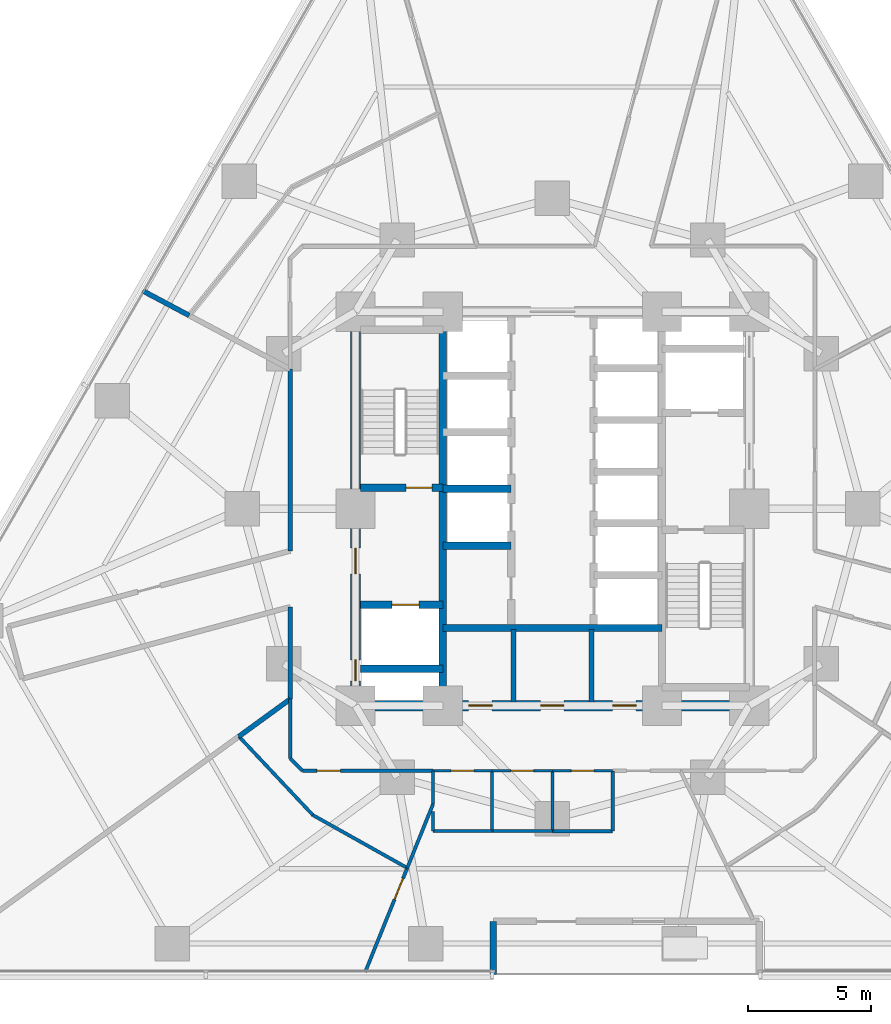
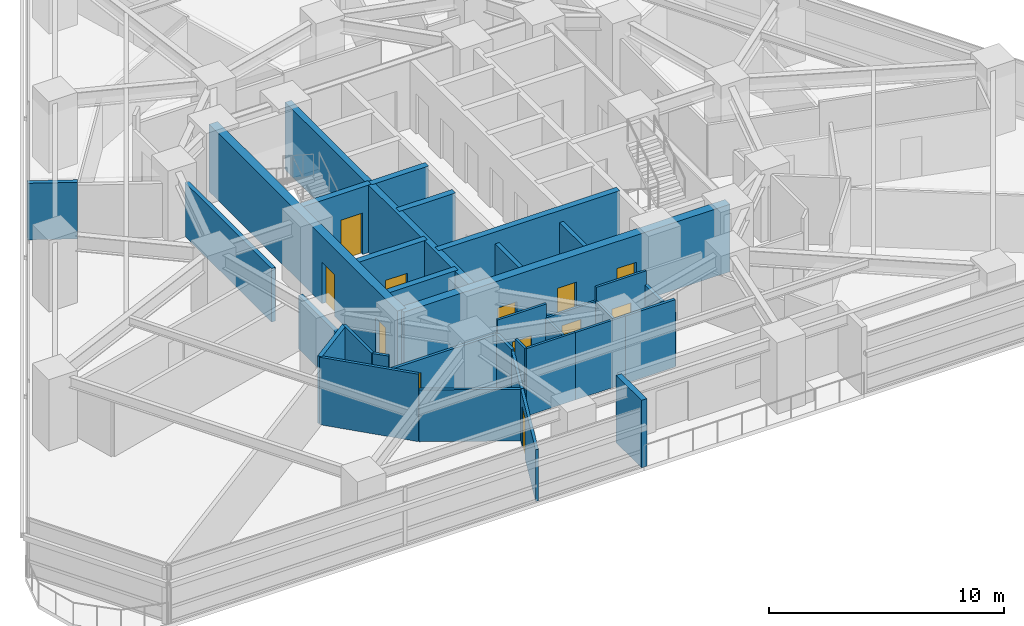
# One storey, part 8 of 16: 34 walls, 12 doors, 12 openings.
"""IFC4 building model written with IfcOpenShell, lengths in metres."""

import ifcopenshell
import ifcopenshell.guid

model = None  # the IFC model being written
_history = None  # IfcOwnerHistory: only IFC2X3 demands one
_inside = {}  # id of a spatial element -> (the spatial element, [elements in it])
_under = {}  # id of a project, library or spatial element -> (it, [spatial elements below it])
_declared = {}  # id of a project -> (the project, [libraries it declares])
_typed = {}  # id of a type object -> (the type object, [elements of that type])
_made_of = {}  # id of a material, layer set ... -> (it, [elements and type objects made of it])


def new_model(schema):
    """Start an empty IFC model of exactly this schema.

    Asked for "IFC4X3", IfcOpenShell would pick the latest addendum, in which some entities
    have other attributes; the version numbers below select the first issue.
    IFC2X3 requires an IfcOwnerHistory on every rooted entity: one is made here for all.
    """
    global model, _history
    if schema == "IFC4X3":
        model = ifcopenshell.file(schema_version=(4, 3, 0, 0))
    else:
        model = ifcopenshell.file(schema=schema)
    _inside.clear()
    _under.clear()
    _declared.clear()
    _typed.clear()
    _made_of.clear()
    _history = None
    if model.schema == "IFC2X3":
        org = make("IfcOrganization", Name="unknown")
        user = make(
            "IfcPersonAndOrganization",
            ThePerson=make("IfcPerson", FamilyName="unknown"),
            TheOrganization=org,
        )
        app = make(
            "IfcApplication",
            ApplicationDeveloper=org,
            Version="unknown",
            ApplicationFullName="unknown",
            ApplicationIdentifier="unknown",
        )
        _history = make(
            "IfcOwnerHistory",
            OwningUser=user,
            OwningApplication=app,
            ChangeAction="ADDED",
            CreationDate=0,
        )
    return model


def make(cls, **values):
    """One entity of the class cls with the attributes given. An attribute that is None is left unset."""
    return model.create_entity(
        cls, **{name: value for name, value in values.items() if value is not None}
    )


def rooted(cls, **values):
    """An entity with a GlobalId (a new one), such as an element, a storey or a relation."""
    return make(cls, GlobalId=ifcopenshell.guid.new(), OwnerHistory=_history, **values)


def si_unit(unit_type, name, prefix=None):
    """IfcSIUnit, for example si_unit("LENGTHUNIT", "METRE", prefix="MILLI")."""
    return make("IfcSIUnit", UnitType=unit_type, Prefix=prefix, Name=name)


def assignment(units):
    """IfcUnitAssignment: the units of a project."""
    return None if units is None else make("IfcUnitAssignment", Units=units)


def point(xyz):
    """IfcCartesianPoint."""
    return None if xyz is None else make("IfcCartesianPoint", Coordinates=xyz)


def direction(xyz):
    """IfcDirection."""
    return None if xyz is None else make("IfcDirection", DirectionRatios=xyz)


def frame(location, z_axis=None, x_axis=None):
    """IfcAxis2Placement3D, a coordinate frame: its origin and axes. An axis left out is left unset."""
    return make(
        "IfcAxis2Placement3D",
        Location=point(location),
        Axis=direction(z_axis),
        RefDirection=direction(x_axis),
    )


def frame_2d(location, x_axis=None):
    """IfcAxis2Placement2D, a coordinate frame in the plane: its origin and x axis."""
    return make(
        "IfcAxis2Placement2D", Location=point(location), RefDirection=direction(x_axis)
    )


def origin():
    """The frame at (0, 0, 0) with its axes left unset."""
    return frame((0.0, 0.0, 0.0))


def place(relative_to, where):
    """IfcLocalPlacement: puts the frame where relative to a parent placement (None: the world)."""
    return make(
        "IfcLocalPlacement", PlacementRelTo=relative_to, RelativePlacement=where
    )


def context(
    kind, dimensions, precision=None, world=None, true_north=None, identifier=None
):
    """IfcGeometricRepresentationContext, for example the 3D "Model" context."""
    return make(
        "IfcGeometricRepresentationContext",
        ContextIdentifier=identifier,
        ContextType=kind,
        CoordinateSpaceDimension=dimensions,
        Precision=precision,
        WorldCoordinateSystem=world,
        TrueNorth=true_north,
    )


def subcontext(parent, identifier, kind, view, scale=None):
    """IfcGeometricRepresentationSubContext, for example "Body" below "Model"."""
    return make(
        "IfcGeometricRepresentationSubContext",
        ContextIdentifier=identifier,
        ContextType=kind,
        ParentContext=parent,
        TargetScale=scale,
        TargetView=view,
    )


def project(units=None, contexts=None):
    """IfcProject with its units and contexts."""
    return rooted(
        "IfcProject",
        Name="project",
        RepresentationContexts=contexts,
        UnitsInContext=assignment(units),
    )


def spatial(cls, under=None, at=None, **own):
    """A site, building, storey or space (cls), placed at a placement, below another one or the project."""
    s = rooted(cls, ObjectPlacement=at, **own)
    if under is not None:
        _under.setdefault(under.id(), (under, []))[1].append(s)
    return s


def profile(cls, at=None, kind="AREA", **sizes):
    """A parametric profile (cls). Its sizes go by their IFC names, for example OverallWidth=200.0."""
    return make(cls, ProfileType=kind, Position=at, **sizes)


def rectangle(**sizes):
    """IfcRectangleProfileDef."""
    return profile("IfcRectangleProfileDef", **sizes)


def extrude(swept, where, along, depth):
    """IfcExtrudedAreaSolid: the profile swept, set in the frame where, extruded along a direction by depth."""
    return make(
        "IfcExtrudedAreaSolid",
        SweptArea=swept,
        Position=where,
        ExtrudedDirection=direction(along),
        Depth=depth,
    )


def shape(context_of_items, identifier, shape_type, items):
    """IfcShapeRepresentation: the items that make up one representation, for example the "Body"."""
    return make(
        "IfcShapeRepresentation",
        ContextOfItems=context_of_items,
        RepresentationIdentifier=identifier,
        RepresentationType=shape_type,
        Items=items,
    )


def material(Name=None, Category=None):
    """IfcMaterial."""
    return make("IfcMaterial", Name=Name, Category=Category)


def layer(
    of_material, thickness, ventilated=None, Name=None, Category=None, Priority=None
):
    """IfcMaterialLayer: one layer of a wall or slab, of a material (None: an air gap)."""
    return make(
        "IfcMaterialLayer",
        Material=of_material,
        LayerThickness=thickness,
        IsVentilated=ventilated,
        Name=Name,
        Category=Category,
        Priority=Priority,
    )


def layer_set(layers, Name=None):
    """IfcMaterialLayerSet."""
    return make("IfcMaterialLayerSet", MaterialLayers=layers, LayerSetName=Name)


def made_of(thing, what):
    """Note that an element or type object is made of a material, layer set ...; save() writes the relation."""
    if what is not None:
        _made_of.setdefault(what.id(), (what, []))[1].append(thing)
    return thing


def type_object(cls, material=None, **own):
    """A type object (cls), such as IfcWallType, which elements share."""
    return made_of(rooted(cls, **own), material)


def element(
    cls,
    number,
    at=None,
    inside=None,
    cuts=None,
    type_object=None,
    material=None,
    context=None,
    identifier="Body",
    shape_type=None,
    held_by="IfcProductDefinitionShape",
    body=None,
    shapes=None,
    **own,
):
    """One element of the class cls, such as IfcWall. Its Tag is "e" and its number.

    at: its placement. inside: the storey or other place that contains it. cuts: it is an
    opening in that element (IfcRelVoidsElement). A single representation is given by context,
    identifier, shape_type and body (its items); several are given by shapes. held_by: the class
    of the entity that holds the representations. save() writes the other relations.
    """
    e = rooted(cls, Tag="e%d" % number, ObjectPlacement=at, **own)
    if body is not None:
        shapes = [shape(context, identifier, shape_type, body)]
    if shapes is not None:
        e.Representation = make(held_by, Representations=shapes)
    if inside is not None:
        _inside.setdefault(inside.id(), (inside, []))[1].append(e)
    if cuts is not None:
        rooted(
            "IfcRelVoidsElement", RelatingBuildingElement=cuts, RelatedOpeningElement=e
        )
    if type_object is not None:
        _typed.setdefault(type_object.id(), (type_object, []))[1].append(e)
    return made_of(e, material)


def fill(opening, filler):
    """IfcRelFillsElement: the door or window that sits in an opening."""
    return rooted(
        "IfcRelFillsElement",
        RelatingOpeningElement=opening,
        RelatedBuildingElement=filler,
    )


def aggregate(whole, parts):
    """IfcRelAggregates: a whole, such as a stair, and the parts it consists of."""
    return rooted("IfcRelAggregates", RelatingObject=whole, RelatedObjects=parts)


def save(model, path):
    """Write the relations noted so far, then the file.

    IfcRelAggregates (storeys below a building ...), IfcRelContainedInSpatialStructure (elements
    in a storey), IfcRelDefinesByType, IfcRelAssociatesMaterial and IfcRelDeclares: one each for
    every whole, place, type object, material and project.
    """
    for whole, parts in _under.values():
        aggregate(whole, parts)
    for where, things in _inside.values():
        rooted(
            "IfcRelContainedInSpatialStructure",
            RelatedElements=things,
            RelatingStructure=where,
        )
    for kind, things in _typed.values():
        rooted("IfcRelDefinesByType", RelatedObjects=things, RelatingType=kind)
    for what, things in _made_of.values():
        rooted("IfcRelAssociatesMaterial", RelatedObjects=things, RelatingMaterial=what)
    for by, libraries in _declared.values():
        rooted("IfcRelDeclares", RelatingContext=by, RelatedDefinitions=libraries)
    model.write(path)


model = new_model("IFC4")

# Units and contexts
model_context = context("Model", 3, precision=1e-05, world=origin(), true_north=direction((0.0, 1.0)))
body_context = subcontext(model_context, "Body", "Model", "MODEL_VIEW")
ifc_project = project(units=[si_unit("LENGTHUNIT", "METRE"), si_unit("AREAUNIT", "SQUARE_METRE"), si_unit("VOLUMEUNIT", "CUBIC_METRE"), si_unit("PLANEANGLEUNIT", "RADIAN"), si_unit("MASSUNIT", "GRAM", prefix="KILO")], contexts=[model_context])

# Site, building, storey
site_placement = place(None, origin())
site = spatial("IfcSite", under=ifc_project, at=site_placement, CompositionType="ELEMENT")
building_placement = place(site_placement, origin())
building = spatial("IfcBuilding", under=site, at=building_placement, Name="Terralouvre Media Tower", CompositionType="ELEMENT")
storey_placement = place(building_placement, frame((0.0, 0.0, 44.5)))
storey = spatial("IfcBuildingStorey", under=building, at=storey_placement, Name="L10", CompositionType="ELEMENT", Elevation=44.5)

# Wall
ifc_material_1 = material(Name="Concrete C50/60", Category="concrete")
ifc_layer_1 = layer(ifc_material_1, 0.300048828125, Name="Core Internal Shaft Wall CW-300")
ifc_layer_set_1 = layer_set([ifc_layer_1], Name="Concrete C50/60")
wall_type_1 = type_object("IfcWallType", Name="Core Internal Shaft Wall CW-300", PredefinedType="SHEAR", material=ifc_layer_set_1)
wall_1_placement = place(storey_placement, frame((-4.449951171875, -7.7900390625, 0.0), z_axis=(0.0, 0.0, 1.0), x_axis=(0.0, 1.0, 0.0)))
element("IfcWall", 1, at=wall_1_placement, inside=storey, type_object=wall_type_1, Name="L10 Core Shaft Wall SPW", PredefinedType="SHEAR", context=body_context, shape_type="SweptSolid", body=[
    extrude(rectangle(XDim=15.580078125, YDim=0.300048828125, at=frame_2d((7.7900390625, 0.0))), origin(), (0.0, 0.0, 1.0), 3.5),
])

# Wall, opening, door
wall_2_placement = place(storey_placement, frame((-7.7900390625, 0.85009765625, 0.0), z_axis=(0.0, 0.0, 1.0), x_axis=(1.0, 0.0, 0.0)))
wall_2 = element("IfcWall", 2, at=wall_2_placement, inside=storey, type_object=wall_type_1, Name="L10 Core Shaft Wall ST1D", PredefinedType="SHEAR", context=body_context, shape_type="SweptSolid", body=[
    extrude(rectangle(XDim=3.340087890625, YDim=0.300048828125, at=frame_2d((1.669921875, 0.0))), origin(), (0.0, 0.0, 1.0), 3.5),
])
opening_1_placement = place(wall_2_placement, frame((1.85009765625, 0.0, 0.0)))
opening_1 = element("IfcOpeningElement", 3, at=opening_1_placement, cuts=wall_2, Name="Opening FD-01-105X215", PredefinedType="OPENING", context=body_context, shape_type="SweptSolid", body=[
    extrude(rectangle(XDim=1.050048828125, YDim=2.14990234375, at=frame_2d((0.52490234375, 1.074951171875))), frame((0.0, 0.159912109375, 0.0), z_axis=(0.0, -1.0, 0.0), x_axis=(1.0, 0.0, 0.0)), (0.0, 0.0, 1.0), 0.320068359375),
])
ifc_material_2 = material(Name="Galvanised steel fire-resisting leaf", Category="steel")
door_type_1 = type_object("IfcDoorType", Name="Stair and Firefighting Lobby Fire Door FD-01 (1050x2150)", OperationType="NOTDEFINED", PredefinedType="DOOR", material=ifc_material_2)
door_1_placement = place(opening_1_placement, origin())
door_1 = element("IfcDoor", 4, at=door_1_placement, inside=storey, type_object=door_type_1, Name="L10 ST-01 Exit Stair Door", OperationType="SINGLE_SWING_LEFT", OverallHeight=2.14990234375, OverallWidth=1.050048828125, PredefinedType="DOOR", context=body_context, shape_type="SweptSolid", body=[
    extrude(rectangle(XDim=1.050048828125, YDim=2.14990234375, at=frame_2d((0.52490234375, 1.074951171875))), frame((0.0, 0.02490234375, 0.0), z_axis=(0.0, -1.0, 0.0), x_axis=(1.0, 0.0, 0.0)), (0.0, 0.0, 1.0), 0.050048828125),
])
fill(opening_1, door_1)

wall_3_placement = place(storey_placement, frame((-7.7900390625, -3.89990234375, 0.0), z_axis=(0.0, 0.0, 1.0), x_axis=(1.0, 0.0, 0.0)))
wall_3 = element("IfcWall", 5, at=wall_3_placement, inside=storey, type_object=wall_type_1, Name="L10 Core Shaft Wall FF1N", PredefinedType="SHEAR", context=body_context, shape_type="SweptSolid", body=[
    extrude(rectangle(XDim=3.340087890625, YDim=0.300048828125, at=frame_2d((1.669921875, 0.0))), origin(), (0.0, 0.0, 1.0), 3.5),
])
opening_2_placement = place(wall_3_placement, frame((1.27001953125, 0.0, 0.0)))
opening_2 = element("IfcOpeningElement", 6, at=opening_2_placement, cuts=wall_3, Name="Opening LD-FF", PredefinedType="OPENING", context=body_context, shape_type="SweptSolid", body=[
    extrude(rectangle(XDim=1.10009765625, YDim=2.10009765625, at=frame_2d((0.550048828125, 1.050048828125))), frame((0.0, 0.159912109375, 0.0), z_axis=(0.0, -1.0, 0.0), x_axis=(1.0, 0.0, 0.0)), (0.0, 0.0, 1.0), 0.320068359375),
])
ifc_material_3 = material(Name="Stainless steel 316 handrail and balustrade", Category="steel")
door_type_2 = type_object("IfcDoorType", Name="Firefighting Lift Sliding Landing Door LD-FF", OperationType="SLIDING_TO_LEFT", PredefinedType="DOOR", material=ifc_material_3)
door_2_placement = place(opening_2_placement, origin())
door_2 = element("IfcDoor", 7, at=door_2_placement, inside=storey, type_object=door_type_2, Name="L10 Firefighting Lift FFL-01 Landing Door", OperationType="SLIDING_TO_LEFT", OverallHeight=2.10009765625, OverallWidth=1.10009765625, PredefinedType="DOOR", context=body_context, shape_type="SweptSolid", body=[
    extrude(rectangle(XDim=1.10009765625, YDim=2.10009765625, at=frame_2d((0.550048828125, 1.050048828125))), frame((0.0, 0.02490234375, 0.0), z_axis=(0.0, -1.0, 0.0), x_axis=(1.0, 0.0, 0.0)), (0.0, 0.0, 1.0), 0.050048828125),
])
fill(opening_2, door_2)

# Walls
wall_4_placement = place(storey_placement, frame((-7.7900390625, -6.5, 0.0), z_axis=(0.0, 0.0, 1.0), x_axis=(1.0, 0.0, 0.0)))
element("IfcWall", 8, at=wall_4_placement, inside=storey, type_object=wall_type_1, Name="L10 Core Shaft Wall FF1S", PredefinedType="SHEAR", context=body_context, shape_type="SweptSolid", body=[
    extrude(rectangle(XDim=3.340087890625, YDim=0.300048828125, at=frame_2d((1.669921875, 0.0))), origin(), (0.0, 0.0, 1.0), 3.5),
])
wall_5_placement = place(storey_placement, frame((-4.449951171875, -4.85009765625, 0.0), z_axis=(0.0, 0.0, 1.0), x_axis=(1.0, 0.0, 0.0)))
element("IfcWall", 9, at=wall_5_placement, inside=storey, type_object=wall_type_1, Name="L10 Core Shaft Wall CSBN", PredefinedType="SHEAR", context=body_context, shape_type="SweptSolid", body=[
    extrude(rectangle(XDim=8.89990234375, YDim=0.300048828125, at=frame_2d((4.449951171875, 0.0))), origin(), (0.0, 0.0, 1.0), 3.5),
])
for number, where, z_axis, x_axis, name in (
    (10, (-4.449951171875, -1.5, 0.0), (0.0, 0.0, 1.0), (1.0, 0.0, 0.0), "L10 Core Shaft Wall PLLD0"),
    (11, (-4.449951171875, 0.800048828125, 0.0), (0.0, 0.0, 1.0), (1.0, 0.0, 0.0), "L10 Core Shaft Wall PLLD1"),
):
    element("IfcWall", number, at=place(storey_placement, frame(where, z_axis=z_axis, x_axis=x_axis)), inside=storey, type_object=wall_type_1, Name=name, PredefinedType="SHEAR", context=body_context, shape_type="SweptSolid", body=[
        extrude(rectangle(XDim=2.77001953125, YDim=0.300048828125, at=frame_2d((1.385009765625, 0.0))), origin(), (0.0, 0.0, 1.0), 3.5),
    ])

# Wall, openings, doors
ifc_material_4 = material(Name="Concrete C60/75", Category="concrete")
ifc_layer_2 = layer(ifc_material_4, 0.419921875, Name="Core Reinforced Concrete Shear Wall CW-420")
ifc_layer_set_2 = layer_set([ifc_layer_2], Name="Concrete C60/75")
wall_type_2 = type_object("IfcWallType", Name="Core Reinforced Concrete Shear Wall CW-420", PredefinedType="SHEAR", material=ifc_layer_set_2)
wall_6_placement = place(storey_placement, frame((-8.0, -8.0, 0.0), z_axis=(0.0, 0.0, 1.0), x_axis=(0.0, 1.0, 0.0)))
wall_6 = element("IfcWall", 12, at=wall_6_placement, inside=storey, type_object=wall_type_2, Name="L10 W Core Shear Wall", PredefinedType="SHEAR", context=body_context, shape_type="SweptSolid", body=[
    extrude(rectangle(XDim=16.0, YDim=0.419921875, at=frame_2d((8.0, 0.0))), origin(), (0.0, 0.0, 1.0), 3.5),
])
opening_3_placement = place(wall_6_placement, frame((1.001708984375, 0.0, 0.0)))
opening_3 = element("IfcOpeningElement", 13, at=opening_3_placement, cuts=wall_6, Name="Opening TD-R1", PredefinedType="OPENING", context=body_context, shape_type="SweptSolid", body=[
    extrude(rectangle(XDim=0.85009765625, YDim=2.02001953125, at=frame_2d((0.425048828125, 1.010009765625))), frame((0.0, 0.219970703125, 0.0), z_axis=(0.0, -1.0, 0.0), x_axis=(1.0, 0.0, 0.0)), (0.0, 0.0, 1.0), 0.43994140625),
])
opening_4_placement = place(wall_6_placement, frame((5.35009765625, 0.0, 0.0)))
opening_4 = element("IfcOpeningElement", 14, at=opening_4_placement, cuts=wall_6, Name="Opening FD-01-105X215", PredefinedType="OPENING", context=body_context, shape_type="SweptSolid", body=[
    extrude(rectangle(XDim=1.050048828125, YDim=2.14990234375, at=frame_2d((0.52490234375, 1.074951171875))), frame((0.0, 0.219970703125, 0.0), z_axis=(0.0, -1.0, 0.0), x_axis=(1.0, 0.0, 0.0)), (0.0, 0.0, 1.0), 0.43994140625),
])
ifc_material_5 = material(Name="Galvanised steel fire-resisting leaf", Category="steel")
door_type_3 = type_object("IfcDoorType", Name="Riser Inspection Access Trapdoor TD-R1", OperationType="NOTDEFINED", PredefinedType="TRAPDOOR", material=ifc_material_5)
door_3_placement = place(opening_3_placement, origin())
door_3 = element("IfcDoor", 15, at=door_3_placement, inside=storey, type_object=door_type_3, Name="L10 Wet Riser Access Trapdoor", OperationType="SINGLE_SWING_LEFT", OverallHeight=2.02001953125, OverallWidth=0.85009765625, PredefinedType="TRAPDOOR", context=body_context, shape_type="SweptSolid", body=[
    extrude(rectangle(XDim=0.85009765625, YDim=2.02001953125, at=frame_2d((0.425048828125, 1.010009765625))), frame((0.0, 0.02490234375, 0.0), z_axis=(0.0, -1.0, 0.0), x_axis=(1.0, 0.0, 0.0)), (0.0, 0.0, 1.0), 0.050048828125),
])
fill(opening_3, door_3)
door_4_placement = place(opening_4_placement, origin())
door_4 = element("IfcDoor", 16, at=door_4_placement, inside=storey, type_object=door_type_1, Name="L10 West Firefighting Lobby Entry Door", OperationType="SINGLE_SWING_RIGHT", OverallHeight=2.14990234375, OverallWidth=1.050048828125, PredefinedType="DOOR", context=body_context, shape_type="SweptSolid", body=[
    extrude(rectangle(XDim=1.050048828125, YDim=2.14990234375, at=frame_2d((0.52490234375, 1.074951171875))), frame((0.0, 0.02490234375, 0.0), z_axis=(0.0, -1.0, 0.0), x_axis=(1.0, 0.0, 0.0)), (0.0, 0.0, 1.0), 0.050048828125),
])
fill(opening_4, door_4)

wall_7_placement = place(storey_placement, frame((-8.0, -8.0, 0.0), z_axis=(0.0, 0.0, 1.0), x_axis=(1.0, 0.0, 0.0)))
wall_7 = element("IfcWall", 17, at=wall_7_placement, inside=storey, type_object=wall_type_2, Name="L10 S Core Shear Wall", PredefinedType="SHEAR", context=body_context, shape_type="SweptSolid", body=[
    extrude(rectangle(XDim=16.0, YDim=0.419921875, at=frame_2d((8.0, 0.0))), origin(), (0.0, 0.0, 1.0), 3.5),
])
opening_5_placement = place(wall_7_placement, frame((4.60009765625, 0.0, 0.0)))
opening_5 = element("IfcOpeningElement", 18, at=opening_5_placement, cuts=wall_7, Name="Opening FD-02-95X210", PredefinedType="OPENING", context=body_context, shape_type="SweptSolid", body=[
    extrude(rectangle(XDim=0.949951171875, YDim=2.10009765625, at=frame_2d((0.47509765625, 1.050048828125))), frame((0.0, 0.219970703125, 0.0), z_axis=(0.0, -1.0, 0.0), x_axis=(1.0, 0.0, 0.0)), (0.0, 0.0, 1.0), 0.43994140625),
])
opening_6_placement = place(wall_7_placement, frame((7.52001953125, 0.0, 0.0)))
opening_6 = element("IfcOpeningElement", 19, at=opening_6_placement, cuts=wall_7, Name="Opening FD-02-95X210", PredefinedType="OPENING", context=body_context, shape_type="SweptSolid", body=[
    extrude(rectangle(XDim=0.949951171875, YDim=2.10009765625, at=frame_2d((0.47509765625, 1.050048828125))), frame((0.0, 0.219970703125, 0.0), z_axis=(0.0, -1.0, 0.0), x_axis=(1.0, 0.0, 0.0)), (0.0, 0.0, 1.0), 0.43994140625),
])
opening_7_placement = place(wall_7_placement, frame((10.449951171875, 0.0, 0.0)))
opening_7 = element("IfcOpeningElement", 20, at=opening_7_placement, cuts=wall_7, Name="Opening FD-02-95X210", PredefinedType="OPENING", context=body_context, shape_type="SweptSolid", body=[
    extrude(rectangle(XDim=0.949951171875, YDim=2.10009765625, at=frame_2d((0.47509765625, 1.050048828125))), frame((0.0, 0.219970703125, 0.0), z_axis=(0.0, -1.0, 0.0), x_axis=(1.0, 0.0, 0.0)), (0.0, 0.0, 1.0), 0.43994140625),
])
ifc_material_6 = material(Name="Galvanised steel fire-resisting leaf", Category="steel")
door_type_4 = type_object("IfcDoorType", Name="Plant and Riser Fire Door FD-02 (950x2100)", OperationType="NOTDEFINED", PredefinedType="DOOR", material=ifc_material_6)
door_5_placement = place(opening_5_placement, origin())
door_5 = element("IfcDoor", 21, at=door_5_placement, inside=storey, type_object=door_type_4, Name="L10 Core Janitor Store Door", OperationType="SINGLE_SWING_LEFT", OverallHeight=2.10009765625, OverallWidth=0.949951171875, PredefinedType="DOOR", context=body_context, shape_type="SweptSolid", body=[
    extrude(rectangle(XDim=0.949951171875, YDim=2.10009765625, at=frame_2d((0.47509765625, 1.050048828125))), frame((0.0, 0.02490234375, 0.0), z_axis=(0.0, -1.0, 0.0), x_axis=(1.0, 0.0, 0.0)), (0.0, 0.0, 1.0), 0.050048828125),
])
fill(opening_5, door_5)
door_6_placement = place(opening_6_placement, origin())
door_6 = element("IfcDoor", 22, at=door_6_placement, inside=storey, type_object=door_type_4, Name="L10 Core Linen Store Door", OperationType="SINGLE_SWING_RIGHT", OverallHeight=2.10009765625, OverallWidth=0.949951171875, PredefinedType="DOOR", context=body_context, shape_type="SweptSolid", body=[
    extrude(rectangle(XDim=0.949951171875, YDim=2.10009765625, at=frame_2d((0.47509765625, 1.050048828125))), frame((0.0, 0.02490234375, 0.0), z_axis=(0.0, -1.0, 0.0), x_axis=(1.0, 0.0, 0.0)), (0.0, 0.0, 1.0), 0.050048828125),
])
fill(opening_6, door_6)
door_7_placement = place(opening_7_placement, origin())
door_7 = element("IfcDoor", 23, at=door_7_placement, inside=storey, type_object=door_type_4, Name="L10 Core Metering Plant Door", OperationType="SINGLE_SWING_LEFT", OverallHeight=2.10009765625, OverallWidth=0.949951171875, PredefinedType="DOOR", context=body_context, shape_type="SweptSolid", body=[
    extrude(rectangle(XDim=0.949951171875, YDim=2.10009765625, at=frame_2d((0.47509765625, 1.050048828125))), frame((0.0, 0.02490234375, 0.0), z_axis=(0.0, -1.0, 0.0), x_axis=(1.0, 0.0, 0.0)), (0.0, 0.0, 1.0), 0.050048828125),
])
fill(opening_7, door_7)

# Walls
ifc_material_7 = material(Name="Fire-rated gypsum board drywall partition")
ifc_layer_3 = layer(ifc_material_7, 0.199951171875, Name="Fire-Rated Shaft and Lobby Partition FW-200")
ifc_layer_set_3 = layer_set([ifc_layer_3], Name="Fire-rated gypsum board drywall partition")
wall_type_3 = type_object("IfcWallType", Name="Fire-Rated Shaft and Lobby Partition FW-200", PredefinedType="SOLIDWALL", material=ifc_layer_set_3)
for number, where, z_axis, x_axis, name in (
    (24, (-1.580078125, -7.85009765625, 0.0), (0.0, 0.0, 1.0), (0.0, 1.0, 0.0), "L10 Core Service Bay Partition 1"),
    (25, (1.580078125, -7.85009765625, 0.0), (0.0, 0.0, 1.0), (0.0, 1.0, 0.0), "L10 Core Service Bay Partition 2"),
):
    element("IfcWall", number, at=place(storey_placement, frame(where, z_axis=z_axis, x_axis=x_axis)), inside=storey, type_object=wall_type_3, Name=name, PredefinedType="SOLIDWALL", context=body_context, shape_type="SweptSolid", body=[
        extrude(rectangle(XDim=2.9501953125, YDim=0.199951171875, at=frame_2d((1.47509765625, 0.0))), origin(), (0.0, 0.0, 1.0), 2.885009765625),
    ])
wall_8_placement = place(storey_placement, frame((-10.64990234375, 5.6630859375, 0.0), z_axis=(0.0, 0.0, 1.0), x_axis=(0.0, -1.0, 0.0)))
element("IfcWall", 26, at=wall_8_placement, inside=storey, type_object=wall_type_3, Name="L10 Interior Partition 008", PredefinedType="SOLIDWALL", context=body_context, shape_type="SweptSolid", body=[
    extrude(rectangle(XDim=7.378173828125, YDim=0.199951171875, at=frame_2d((3.68896484375, 0.0))), origin(), (0.0, 0.0, 1.0), 2.784912109375),
])
wall_9_placement = place(storey_placement, frame((-10.64990234375, -3.991943359375, 0.0), z_axis=(0.0, 0.0, 1.0), x_axis=(0.0, -1.0, 0.0)))
element("IfcWall", 27, at=wall_9_placement, inside=storey, type_object=wall_type_3, Name="L10 Interior Partition 012", PredefinedType="SOLIDWALL", context=body_context, shape_type="SweptSolid", body=[
    extrude(rectangle(XDim=3.74609375, YDim=0.199951171875, at=frame_2d((1.873046875, 0.0))), origin(), (0.0, 0.0, 1.0), 2.784912109375),
])
wall_10_placement = place(storey_placement, frame((-12.736083984375, -9.2529296875, 0.0), z_axis=(0.0, 0.0, 1.0), x_axis=(0.809165833136, 0.587580338749, 0.0)))
element("IfcWall", 28, at=wall_10_placement, inside=storey, type_object=wall_type_3, Name="L10 Interior Partition 038", PredefinedType="SOLIDWALL", context=body_context, shape_type="SweptSolid", body=[
    extrude(rectangle(XDim=2.578125, YDim=0.199951171875, at=frame_2d((1.2890625, 0.0))), origin(), (0.0, 0.0, 1.0), 3.5),
])
wall_11_placement = place(storey_placement, frame((-14.7548828125, 7.844970703125, 0.0), z_axis=(0.0, 0.0, 1.0), x_axis=(-0.882905636776, 0.469550462197, 0.0)))
element("IfcWall", 29, at=wall_11_placement, inside=storey, type_object=wall_type_3, Name="L10 Interior Partition 039", PredefinedType="SOLIDWALL", context=body_context, shape_type="SweptSolid", body=[
    extrude(rectangle(XDim=2.137451171875, YDim=0.199951171875, at=frame_2d((1.06884765625, 0.0))), origin(), (0.0, 0.0, 1.0), 2.93505859375),
])
ifc_material_8 = material(Name="Fire-rated gypsum board drywall partition")
ifc_layer_4 = layer(ifc_material_8, 0.135009765625, Name="Newsroom Acoustic Partition PT-135")
ifc_layer_set_4 = layer_set([ifc_layer_4], Name="Fire-rated gypsum board drywall partition")
wall_type_4 = type_object("IfcWallType", Name="Newsroom Acoustic Partition PT-135", PredefinedType="PARTITIONING", material=ifc_layer_set_4)
wall_12_placement = place(storey_placement, frame((-10.64990234375, -7.738037109375, 0.0), z_axis=(0.0, 0.0, 1.0), x_axis=(0.0, -1.0, 0.0)))
element("IfcWall", 30, at=wall_12_placement, inside=storey, type_object=wall_type_4, Name="L10 Interior Partition 020", PredefinedType="PARTITIONING", context=body_context, shape_type="SweptSolid", body=[
    extrude(rectangle(XDim=2.411865234375, YDim=0.135009765625, at=frame_2d((1.2060546875, 0.0))), origin(), (0.0, 0.0, 1.0), 3.5),
])
wall_13_placement = place(storey_placement, frame((-10.64990234375, -10.14990234375, 0.0), z_axis=(0.0, 0.0, 1.0), x_axis=(0.707106781187, -0.707106781187, 0.0)))
element("IfcWall", 31, at=wall_13_placement, inside=storey, type_object=wall_type_4, Name="L10 Interior Partition 021", PredefinedType="PARTITIONING", context=body_context, shape_type="SweptSolid", body=[
    extrude(rectangle(XDim=0.70703125, YDim=0.135009765625, at=frame_2d((0.353515625, 0.0))), origin(), (0.0, 0.0, 1.0), 3.5),
])

# Wall, opening, door
wall_14_placement = place(storey_placement, frame((-10.14990234375, -10.64990234375, 0.0), z_axis=(0.0, 0.0, 1.0), x_axis=(1.0, 0.0, 0.0)))
wall_14 = element("IfcWall", 32, at=wall_14_placement, inside=storey, type_object=wall_type_4, Name="L10 Interior Partition 022", PredefinedType="PARTITIONING", context=body_context, shape_type="SweptSolid", body=[
    extrude(rectangle(XDim=5.2998046875, YDim=0.135009765625, at=frame_2d((2.64990234375, 0.0))), origin(), (0.0, 0.0, 1.0), 2.784912109375),
])
opening_8_placement = place(wall_14_placement, frame((0.5849609375, 0.0, 0.0)))
opening_8 = element("IfcOpeningElement", 33, at=opening_8_placement, cuts=wall_14, Name="Opening ID-02-95X210", PredefinedType="OPENING", context=body_context, shape_type="SweptSolid", body=[
    extrude(rectangle(XDim=0.949951171875, YDim=2.10009765625, at=frame_2d((0.47509765625, 1.050048828125))), frame((0.0, 0.077392578125, 0.0), z_axis=(0.0, -1.0, 0.0), x_axis=(1.0, 0.0, 0.0)), (0.0, 0.0, 1.0), 0.155029296875),
])
ifc_material_9 = material(Name="Engineered hardwood acoustic timber leaf", Category="wood")
door_type_5 = type_object("IfcDoorType", Name="Office and Meeting Room Door ID-02 (950x2100)", OperationType="NOTDEFINED", PredefinedType="DOOR", material=ifc_material_9)
door_8_placement = place(opening_8_placement, origin())
door_8 = element("IfcDoor", 34, at=door_8_placement, inside=storey, type_object=door_type_5, Name="L10 Wardrobe Costume Closet 7 Door", OperationType="SINGLE_SWING_LEFT", OverallHeight=2.10009765625, OverallWidth=0.949951171875, PredefinedType="DOOR", context=body_context, shape_type="SweptSolid", body=[
    extrude(rectangle(XDim=0.949951171875, YDim=2.10009765625, at=frame_2d((0.47509765625, 1.050048828125))), frame((0.0, 0.02490234375, 0.0), z_axis=(0.0, -1.0, 0.0), x_axis=(1.0, 0.0, 0.0)), (0.0, 0.0, 1.0), 0.050048828125),
])
fill(opening_8, door_8)

# Walls
wall_15_placement = place(storey_placement, frame((-5.89697265625, -14.595947265625, 0.0), z_axis=(0.0, 0.0, 1.0), x_axis=(-0.87248894478, 0.488633851915, 0.0)))
element("IfcWall", 35, at=wall_15_placement, inside=storey, type_object=wall_type_4, Name="L10 Interior Partition 047", PredefinedType="PARTITIONING", context=body_context, shape_type="SweptSolid", body=[
    extrude(rectangle(XDim=4.389892578125, YDim=0.135009765625, at=frame_2d((2.19482421875, 0.0))), origin(), (0.0, 0.0, 1.0), 2.68505859375),
])
wall_16_placement = place(storey_placement, frame((-9.72705078125, -12.450927734375, 0.0), z_axis=(0.0, 0.0, 1.0), x_axis=(-0.685262368975, 0.728296289752, 0.0)))
element("IfcWall", 36, at=wall_16_placement, inside=storey, type_object=wall_type_4, Name="L10 Interior Partition 048", PredefinedType="PARTITIONING", context=body_context, shape_type="SweptSolid", body=[
    extrude(rectangle(XDim=4.39111328125, YDim=0.135009765625, at=frame_2d((2.195556640625, 0.0))), origin(), (0.0, 0.0, 1.0), 3.5),
])

# Wall, opening, door
wall_17_placement = place(storey_placement, frame((-7.610107421875, -18.8369140625, 0.0), z_axis=(0.0, 0.0, 1.0), x_axis=(0.374545124537, 0.927208687236, 0.0)))
wall_17 = element("IfcWall", 37, at=wall_17_placement, inside=storey, type_object=wall_type_4, Name="L10 Interior Partition 049", PredefinedType="PARTITIONING", context=body_context, shape_type="SweptSolid", body=[
    extrude(rectangle(XDim=4.573974609375, YDim=0.135009765625, at=frame_2d((2.287109375, 0.0))), origin(), (0.0, 0.0, 1.0), 2.68505859375),
])
opening_9_placement = place(wall_17_placement, frame((3.198974609375, 0.0, 0.0)))
opening_9 = element("IfcOpeningElement", 38, at=opening_9_placement, cuts=wall_17, Name="Opening ID-03-92X210", PredefinedType="OPENING", context=body_context, shape_type="SweptSolid", body=[
    extrude(rectangle(XDim=0.919921875, YDim=2.10009765625, at=frame_2d((0.4599609375, 1.050048828125))), frame((0.0, 0.077392578125, 0.0), z_axis=(0.0, -1.0, 0.0), x_axis=(1.0, 0.0, 0.0)), (0.0, 0.0, 1.0), 0.155029296875),
])
ifc_material_10 = material(Name="Engineered hardwood acoustic timber leaf", Category="wood")
door_type_6 = type_object("IfcDoorType", Name="Accessible Restroom and Suite Door ID-03 (920x2100)", OperationType="NOTDEFINED", PredefinedType="DOOR", material=ifc_material_10)
door_9_placement = place(opening_9_placement, origin())
door_9 = element("IfcDoor", 39, at=door_9_placement, inside=storey, type_object=door_type_6, Name="L10 Camera Lens Vault Store 6 Door", OperationType="SINGLE_SWING_RIGHT", OverallHeight=2.10009765625, OverallWidth=0.919921875, PredefinedType="DOOR", context=body_context, shape_type="SweptSolid", body=[
    extrude(rectangle(XDim=0.919921875, YDim=2.10009765625, at=frame_2d((0.4599609375, 1.050048828125))), frame((0.0, 0.02490234375, 0.0), z_axis=(0.0, -1.0, 0.0), x_axis=(1.0, 0.0, 0.0)), (0.0, 0.0, 1.0), 0.050048828125),
])
fill(opening_9, door_9)

# Walls
wall_18_placement = place(storey_placement, frame((-4.85009765625, -12.00390625, 0.0), z_axis=(0.0, 0.0, 1.0), x_axis=(0.0, 1.0, 0.0)))
element("IfcWall", 40, at=wall_18_placement, inside=storey, type_object=wall_type_4, Name="L10 Interior Partition 050", PredefinedType="PARTITIONING", context=body_context, shape_type="SweptSolid", body=[
    extrude(rectangle(XDim=1.35400390625, YDim=0.135009765625, at=frame_2d((0.677001953125, 0.0))), origin(), (0.0, 0.0, 1.0), 2.784912109375),
])
wall_19_placement = place(storey_placement, frame((-5.89697265625, -14.595947265625, 0.0), z_axis=(0.0, 0.0, 1.0), x_axis=(0.374490485533, 0.92723075674, 0.0)))
element("IfcWall", 41, at=wall_19_placement, inside=storey, type_object=wall_type_4, Name="L10 Interior Partition 051", PredefinedType="PARTITIONING", context=body_context, shape_type="SweptSolid", body=[
    extrude(rectangle(XDim=2.79541015625, YDim=0.135009765625, at=frame_2d((1.397705078125, 0.0))), origin(), (0.0, 0.0, 1.0), 2.68505859375),
])
wall_20_placement = place(storey_placement, frame((2.449951171875, -10.64990234375, 0.0), z_axis=(0.0, 0.0, 1.0), x_axis=(0.0, -1.0, 0.0)))
element("IfcWall", 42, at=wall_20_placement, inside=storey, type_object=wall_type_4, Name="L10 Interior Partition 057", PredefinedType="PARTITIONING", context=body_context, shape_type="SweptSolid", body=[
    extrude(rectangle(XDim=2.4501953125, YDim=0.135009765625, at=frame_2d((1.22509765625, 0.0))), origin(), (0.0, 0.0, 1.0), 2.784912109375),
])
wall_21_placement = place(storey_placement, frame((2.449951171875, -13.10009765625, 0.0), z_axis=(0.0, 0.0, 1.0), x_axis=(-1.0, 0.0, 0.0)))
element("IfcWall", 43, at=wall_21_placement, inside=storey, type_object=wall_type_4, Name="L10 Interior Partition 058", PredefinedType="PARTITIONING", context=body_context, shape_type="SweptSolid", body=[
    extrude(rectangle(XDim=2.449951171875, YDim=0.135009765625, at=frame_2d((1.22509765625, 0.0))), origin(), (0.0, 0.0, 1.0), 3.5),
])
ifc_material_11 = material(Name="Kiln-fired architectural terracotta rainscreen cladding", Category="masonry")
ifc_layer_5 = layer(ifc_material_11, 0.260009765625, Name="Recessed Sky-Garden Acoustic Wall EW-SG260")
ifc_layer_set_5 = layer_set([ifc_layer_5], Name="Kiln-fired architectural terracotta rainscreen cladding")
wall_type_5 = type_object("IfcWallType", Name="Recessed Sky-Garden Acoustic Wall EW-SG260", PredefinedType="SOLIDWALL", material=ifc_layer_set_5)
wall_22_placement = place(storey_placement, frame((-2.39990234375, -18.916748046875, 0.0), z_axis=(0.0, 0.0, 1.0), x_axis=(0.0, 1.0, 0.0)))
element("IfcWall", 44, at=wall_22_placement, inside=storey, type_object=wall_type_5, Name="L10 SG Pocket Left Cheek Wall", PredefinedType="SOLIDWALL", context=body_context, shape_type="SweptSolid", body=[
    extrude(rectangle(XDim=2.14990234375, YDim=0.260009765625, at=frame_2d((1.074951171875, 0.0))), origin(), (0.0, 0.0, 1.0), 3.5),
])

# Wall, opening, door
ifc_material_12 = material(Name="Fire-rated gypsum board drywall partition")
ifc_layer_6 = layer(ifc_material_12, 0.114990234375, Name="Restroom and Pantry Partition PT-115")
ifc_layer_set_6 = layer_set([ifc_layer_6], Name="Fire-rated gypsum board drywall partition")
wall_type_6 = type_object("IfcWallType", Name="Restroom and Pantry Partition PT-115", PredefinedType="PARTITIONING", material=ifc_layer_set_6)
wall_23_placement = place(storey_placement, frame((-4.85009765625, -10.64990234375, 0.0), z_axis=(0.0, 0.0, 1.0), x_axis=(1.0, 0.0, 0.0)))
wall_23 = element("IfcWall", 45, at=wall_23_placement, inside=storey, type_object=wall_type_6, Name="L10 Interior Partition 023", PredefinedType="PARTITIONING", context=body_context, shape_type="SweptSolid", body=[
    extrude(rectangle(XDim=2.400146484375, YDim=0.114990234375, at=frame_2d((1.2001953125, 0.0))), origin(), (0.0, 0.0, 1.0), 3.5),
])
opening_10_placement = place(wall_23_placement, frame((0.739990234375, 0.0, 0.0)))
opening_10 = element("IfcOpeningElement", 46, at=opening_10_placement, cuts=wall_23, Name="Opening ID-03-92X210", PredefinedType="OPENING", context=body_context, shape_type="SweptSolid", body=[
    extrude(rectangle(XDim=0.919921875, YDim=2.10009765625, at=frame_2d((0.4599609375, 1.050048828125))), frame((0.0, 0.0673828125, 0.0), z_axis=(0.0, -1.0, 0.0), x_axis=(1.0, 0.0, 0.0)), (0.0, 0.0, 1.0), 0.135009765625),
])
door_10_placement = place(opening_10_placement, origin())
door_10 = element("IfcDoor", 47, at=door_10_placement, inside=storey, type_object=door_type_6, Name="L10 Male Restroom WC Door", OperationType="SINGLE_SWING_RIGHT", OverallHeight=2.10009765625, OverallWidth=0.919921875, PredefinedType="DOOR", context=body_context, shape_type="SweptSolid", body=[
    extrude(rectangle(XDim=0.919921875, YDim=2.10009765625, at=frame_2d((0.4599609375, 1.050048828125))), frame((0.0, 0.02490234375, 0.0), z_axis=(0.0, -1.0, 0.0), x_axis=(1.0, 0.0, 0.0)), (0.0, 0.0, 1.0), 0.050048828125),
])
fill(opening_10, door_10)

wall_24_placement = place(storey_placement, frame((-2.449951171875, -10.64990234375, 0.0), z_axis=(0.0, 0.0, 1.0), x_axis=(1.0, 0.0, 0.0)))
wall_24 = element("IfcWall", 48, at=wall_24_placement, inside=storey, type_object=wall_type_6, Name="L10 Interior Partition 024", PredefinedType="PARTITIONING", context=body_context, shape_type="SweptSolid", body=[
    extrude(rectangle(XDim=2.449951171875, YDim=0.114990234375, at=frame_2d((1.22509765625, 0.0))), origin(), (0.0, 0.0, 1.0), 2.784912109375),
])
opening_11_placement = place(wall_24_placement, frame((0.764892578125, 0.0, 0.0)))
opening_11 = element("IfcOpeningElement", 49, at=opening_11_placement, cuts=wall_24, Name="Opening ID-03-92X210", PredefinedType="OPENING", context=body_context, shape_type="SweptSolid", body=[
    extrude(rectangle(XDim=0.919921875, YDim=2.10009765625, at=frame_2d((0.4599609375, 1.050048828125))), frame((0.0, 0.0673828125, 0.0), z_axis=(0.0, -1.0, 0.0), x_axis=(1.0, 0.0, 0.0)), (0.0, 0.0, 1.0), 0.135009765625),
])
door_11_placement = place(opening_11_placement, origin())
door_11 = element("IfcDoor", 50, at=door_11_placement, inside=storey, type_object=door_type_6, Name="L10 Female Restroom WC Door", OperationType="SINGLE_SWING_LEFT", OverallHeight=2.10009765625, OverallWidth=0.919921875, PredefinedType="DOOR", context=body_context, shape_type="SweptSolid", body=[
    extrude(rectangle(XDim=0.919921875, YDim=2.10009765625, at=frame_2d((0.4599609375, 1.050048828125))), frame((0.0, 0.02490234375, 0.0), z_axis=(0.0, -1.0, 0.0), x_axis=(1.0, 0.0, 0.0)), (0.0, 0.0, 1.0), 0.050048828125),
])
fill(opening_11, door_11)

wall_25_placement = place(storey_placement, frame((0.0, -10.64990234375, 0.0), z_axis=(0.0, 0.0, 1.0), x_axis=(1.0, 0.0, 0.0)))
wall_25 = element("IfcWall", 51, at=wall_25_placement, inside=storey, type_object=wall_type_6, Name="L10 Interior Partition 026", PredefinedType="PARTITIONING", context=body_context, shape_type="SweptSolid", body=[
    extrude(rectangle(XDim=2.449951171875, YDim=0.114990234375, at=frame_2d((1.22509765625, 0.0))), origin(), (0.0, 0.0, 1.0), 3.5),
])
opening_12_placement = place(wall_25_placement, frame((0.764892578125, 0.0, 0.0)))
opening_12 = element("IfcOpeningElement", 52, at=opening_12_placement, cuts=wall_25, Name="Opening ID-03-92X210", PredefinedType="OPENING", context=body_context, shape_type="SweptSolid", body=[
    extrude(rectangle(XDim=0.919921875, YDim=2.10009765625, at=frame_2d((0.4599609375, 1.050048828125))), frame((0.0, 0.0673828125, 0.0), z_axis=(0.0, -1.0, 0.0), x_axis=(1.0, 0.0, 0.0)), (0.0, 0.0, 1.0), 0.135009765625),
])
door_12_placement = place(opening_12_placement, origin())
door_12 = element("IfcDoor", 53, at=door_12_placement, inside=storey, type_object=door_type_6, Name="L10 Accessible Unisex WC Door", OperationType="SINGLE_SWING_LEFT", OverallHeight=2.10009765625, OverallWidth=0.919921875, PredefinedType="DOOR", context=body_context, shape_type="SweptSolid", body=[
    extrude(rectangle(XDim=0.919921875, YDim=2.10009765625, at=frame_2d((0.4599609375, 1.050048828125))), frame((0.0, 0.02490234375, 0.0), z_axis=(0.0, -1.0, 0.0), x_axis=(1.0, 0.0, 0.0)), (0.0, 0.0, 1.0), 0.050048828125),
])
fill(opening_12, door_12)

# Walls
wall_26_placement = place(storey_placement, frame((-2.449951171875, -13.10009765625, 0.0), z_axis=(0.0, 0.0, 1.0), x_axis=(0.0, 1.0, 0.0)))
element("IfcWall", 54, at=wall_26_placement, inside=storey, type_object=wall_type_6, Name="L10 Interior Partition 052", PredefinedType="PARTITIONING", context=body_context, shape_type="SweptSolid", body=[
    extrude(rectangle(XDim=2.4501953125, YDim=0.114990234375, at=frame_2d((1.22509765625, 0.0))), origin(), (0.0, 0.0, 1.0), 2.784912109375),
])
wall_27_placement = place(storey_placement, frame((-4.85009765625, -12.297607421875, 0.0), z_axis=(0.0, 0.0, 1.0), x_axis=(0.0, -1.0, 0.0)))
element("IfcWall", 55, at=wall_27_placement, inside=storey, type_object=wall_type_6, Name="L10 Interior Partition 053", PredefinedType="PARTITIONING", context=body_context, shape_type="SweptSolid", body=[
    extrude(rectangle(XDim=0.802490234375, YDim=0.114990234375, at=frame_2d((0.4013671875, 0.0))), origin(), (0.0, 0.0, 1.0), 3.5),
])
wall_28_placement = place(storey_placement, frame((-4.85009765625, -13.10009765625, 0.0), z_axis=(0.0, 0.0, 1.0), x_axis=(1.0, 0.0, 0.0)))
element("IfcWall", 56, at=wall_28_placement, inside=storey, type_object=wall_type_6, Name="L10 Interior Partition 054", PredefinedType="PARTITIONING", context=body_context, shape_type="SweptSolid", body=[
    extrude(rectangle(XDim=2.400146484375, YDim=0.114990234375, at=frame_2d((1.2001953125, 0.0))), origin(), (0.0, 0.0, 1.0), 3.5),
])
wall_29_placement = place(storey_placement, frame((-2.449951171875, -13.10009765625, 0.0), z_axis=(0.0, 0.0, 1.0), x_axis=(1.0, 0.0, 0.0)))
element("IfcWall", 57, at=wall_29_placement, inside=storey, type_object=wall_type_6, Name="L10 Interior Partition 055", PredefinedType="PARTITIONING", context=body_context, shape_type="SweptSolid", body=[
    extrude(rectangle(XDim=2.449951171875, YDim=0.114990234375, at=frame_2d((1.22509765625, 0.0))), origin(), (0.0, 0.0, 1.0), 3.5),
])
wall_30_placement = place(storey_placement, frame((0.0, -13.10009765625, 0.0), z_axis=(0.0, 0.0, 1.0), x_axis=(0.0, 1.0, 0.0)))
element("IfcWall", 58, at=wall_30_placement, inside=storey, type_object=wall_type_6, Name="L10 Interior Partition 056", PredefinedType="PARTITIONING", context=body_context, shape_type="SweptSolid", body=[
    extrude(rectangle(XDim=2.4501953125, YDim=0.114990234375, at=frame_2d((1.22509765625, 0.0))), origin(), (0.0, 0.0, 1.0), 2.784912109375),
])

save(model, "model.ifc")
